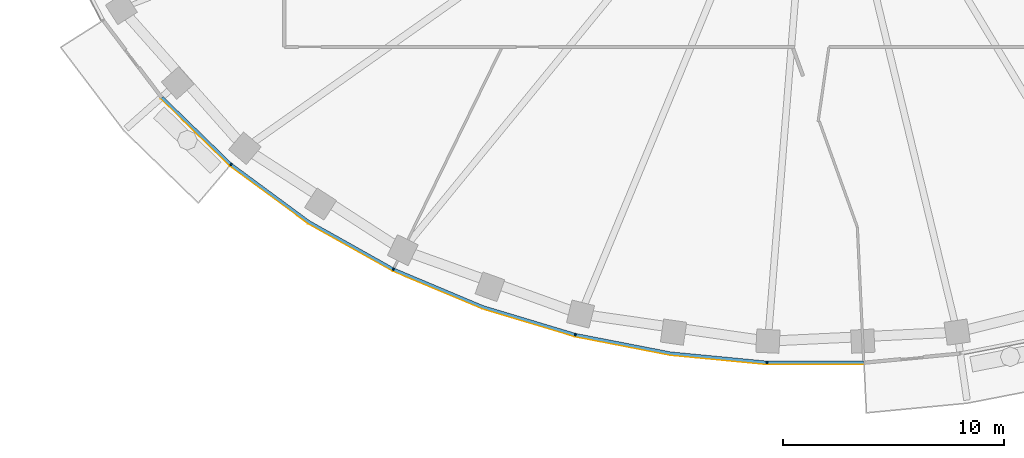
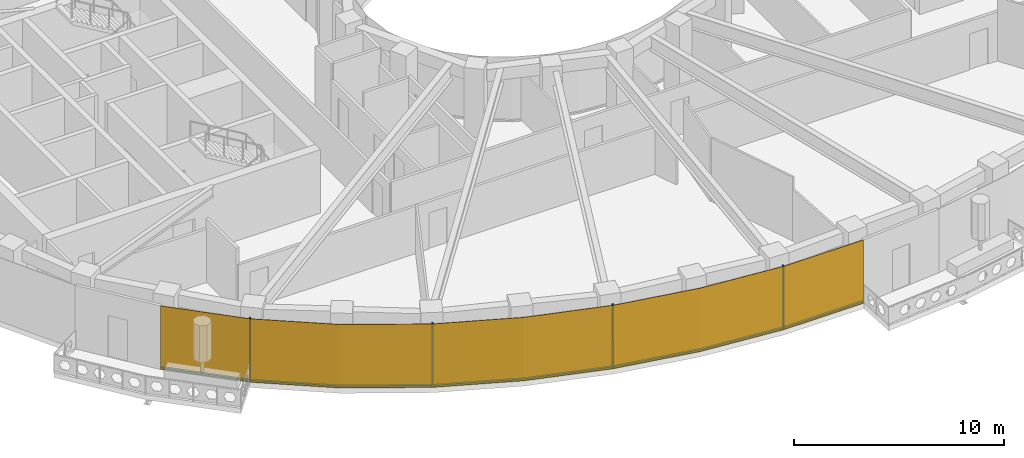
# One storey, part 8 of 16: 9 members, 1 curtain wall.
"""IFC4 building model written with IfcOpenShell, lengths in metres."""

from ifc_helpers import new_model, si_unit, direction, frame, origin, origin_2d, place, context, subcontext, project, spatial, polyline, rectangle, outline, extrude, material, layer, layer_set, material_profile, profile_set, type_object, element, aggregate, save


model = new_model("IFC4")

# Units and contexts
model_context = context("Model", 3, precision=1e-05, world=origin(), true_north=direction((0.0, 1.0)))
body_context = subcontext(model_context, "Body", "Model", "MODEL_VIEW")
ifc_project = project(units=[si_unit("LENGTHUNIT", "METRE"), si_unit("AREAUNIT", "SQUARE_METRE"), si_unit("VOLUMEUNIT", "CUBIC_METRE"), si_unit("PLANEANGLEUNIT", "RADIAN"), si_unit("MASSUNIT", "GRAM", prefix="KILO")], contexts=[model_context])

# Member
ifc_material_1 = material(Name="Aluminium 6063-T6 black anodised", Category="aluminium")
ifc_material_profile = material_profile(ifc_material_1, rectangle(XDim=0.1201171875, YDim=0.06005859375, at=origin_2d()), Name="120x60")
ifc_profile_set = profile_set([ifc_material_profile], Name="Aluminium 6063-T6 black anodised")
member_type_1 = type_object("IfcMemberType", Name="ENV-MULLION-A-120", PredefinedType="MULLION", material=ifc_profile_set)
site_placement = place(None, origin())
building_placement = place(site_placement, origin())
storey_placement = place(building_placement, frame((0.0, 0.0, 281.5)))
member_1_placement = place(storey_placement, frame((-26.403564453125, -18.9130859375, 0.0), z_axis=(0.0, 0.0, 1.0), x_axis=(0.646451313783, 0.762955240435, 0.0)))
member_1 = element("IfcMember", 1, at=member_1_placement, type_object=member_type_1, Name="Mullion A radial 29", PredefinedType="MULLION", context=body_context, shape_type="SweptSolid", body=[
    extrude(rectangle(XDim=0.1201171875, YDim=0.06005859375, at=origin_2d()), origin(), (0.0, 0.0, 1.0), 3.699951171875),
])

member_2_placement = place(storey_placement, frame((-19.06787109375, -23.6474609375, 0.0), z_axis=(0.0, 0.0, 1.0), x_axis=(0.439237769837, 0.898370848563, 0.0)))
member_2 = element("IfcMember", 2, at=member_2_placement, type_object=member_type_1, Name="Mullion A radial 31", PredefinedType="MULLION", context=body_context, shape_type="SweptSolid", body=[
    extrude(rectangle(XDim=0.1201171875, YDim=0.06005859375, at=origin_2d()), origin(), (0.0, 0.0, 1.0), 3.699951171875),
])

member_3_placement = place(storey_placement, frame((-10.84326171875, -26.60498046875, 0.0), z_axis=(0.0, 0.0, 1.0), x_axis=(0.239799081534, 0.970822538106, 0.0)))
member_3 = element("IfcMember", 3, at=member_3_placement, type_object=member_type_1, Name="Mullion A radial 33", PredefinedType="MULLION", context=body_context, shape_type="SweptSolid", body=[
    extrude(rectangle(XDim=0.1201171875, YDim=0.06005859375, at=origin_2d()), origin(), (0.0, 0.0, 1.0), 3.699951171875),
])

member_4_placement = place(storey_placement, frame((-2.188720703125, -27.856201171875, 0.0), z_axis=(0.0, 0.0, 1.0), x_axis=(0.047557873581, 0.998868484166, 0.0)))
member_4 = element("IfcMember", 4, at=member_4_placement, type_object=member_type_1, Name="Mullion A radial 35", PredefinedType="MULLION", context=body_context, shape_type="SweptSolid", body=[
    extrude(rectangle(XDim=0.1201171875, YDim=0.06005859375, at=origin_2d()), origin(), (0.0, 0.0, 1.0), 3.699951171875),
])

ifc_material_2 = material(Name="Aluminium 6063-T6 black anodised", Category="aluminium")
member_type_2 = type_object("IfcMemberType", Name="ENV-TRANSOM-A", PredefinedType="USERDEFINED", material=ifc_material_2)
member_5_placement = place(storey_placement, origin())
member_5 = element("IfcMember", 5, at=member_5_placement, type_object=member_type_2, Name="Transom A radial 28-29", ObjectType="TRANSOM", PredefinedType="USERDEFINED", context=body_context, shape_type="SweptSolid", body=[
    extrude(outline(polyline([(-29.569091796875, -15.9208984375), (-26.46240234375, -18.939208984375), (-26.384765625, -18.847412109375), (-29.47900390625, -15.841064453125), (-29.569091796875, -15.9208984375)])), origin(), (0.0, 0.0, 1.0), 0.10009765625),
])

member_6_placement = place(storey_placement, origin())
member_6 = element("IfcMember", 6, at=member_6_placement, type_object=member_type_2, Name="Transom A radial 29-31", ObjectType="TRANSOM", PredefinedType="USERDEFINED", context=body_context, shape_type="SweptSolid", body=[
    extrude(outline(polyline([(-26.419921875, -18.975341796875), (-22.9150390625, -21.556884765625), (-19.11865234375, -23.687744140625), (-19.06591796875, -23.57958984375), (-22.85009765625, -21.455810546875), (-26.342041015625, -18.883544921875), (-26.419921875, -18.975341796875)])), origin(), (0.0, 0.0, 1.0), 0.10009765625),
])

member_7_placement = place(storey_placement, origin())
member_7 = element("IfcMember", 7, at=member_7_placement, type_object=member_type_2, Name="Transom A radial 31-33", ObjectType="TRANSOM", PredefinedType="USERDEFINED", context=body_context, shape_type="SweptSolid", body=[
    extrude(outline(polyline([(-19.068359375, -23.71240234375), (-15.054443359375, -25.400146484375), (-10.884521484375, -26.655029296875), (-10.855712890625, -26.53857421875), (-15.013916015625, -25.287109375), (-19.015380859375, -23.604248046875), (-19.068359375, -23.71240234375)])), origin(), (0.0, 0.0, 1.0), 0.10009765625),
])

member_8_placement = place(storey_placement, origin())
member_8 = element("IfcMember", 8, at=member_8_placement, type_object=member_type_2, Name="Transom A radial 33-35", ObjectType="TRANSOM", PredefinedType="USERDEFINED", context=body_context, shape_type="SweptSolid", body=[
    extrude(outline(polyline([(-10.830078125, -26.66845703125), (-6.55517578125, -27.49951171875), (-2.219482421875, -27.913330078125), (-2.2138671875, -27.793212890625), (-6.537841796875, -27.380615234375), (-10.80126953125, -26.552001953125), (-10.830078125, -26.66845703125)])), origin(), (0.0, 0.0, 1.0), 0.10009765625),
])

member_9_placement = place(storey_placement, origin())
member_9 = element("IfcMember", 9, at=member_9_placement, type_object=member_type_2, Name="Transom A radial 35-36", ObjectType="TRANSOM", PredefinedType="USERDEFINED", context=body_context, shape_type="SweptSolid", body=[
    extrude(outline(polyline([(-2.163818359375, -27.916015625), (2.171630859375, -27.916015625), (2.166015625, -27.7958984375), (-2.157958984375, -27.7958984375), (-2.163818359375, -27.916015625)])), origin(), (0.0, 0.0, 1.0), 0.10009765625),
])

# Site, building, storey
site = spatial("IfcSite", under=ifc_project, at=site_placement, CompositionType="ELEMENT")
building = spatial("IfcBuilding", under=site, at=building_placement, Name="Noorbagh Ring Tower", CompositionType="ELEMENT")
storey = spatial("IfcBuildingStorey", under=building, at=storey_placement, Name="L60", CompositionType="ELEMENT", Elevation=281.5)

# Curtain wall
ifc_material_3 = material(Name="Glass dark tinted laminated", Category="glass")
ifc_layer = layer(ifc_material_3, 0.031982421875)
ifc_layer_set = layer_set([ifc_layer], Name="Glass dark tinted laminated")
curtain_wall_type = type_object("IfcCurtainWallType", Name="ENV-CW-A", PredefinedType="NOTDEFINED", material=ifc_layer_set)
curtain_wall_placement = place(storey_placement, origin())
curtain_wall = element("IfcCurtainWall", 10, at=curtain_wall_placement, inside=storey, type_object=curtain_wall_type, Name="Curtain wall A R28", PredefinedType="NOTDEFINED", context=body_context, shape_type="SweptSolid", body=[
    extrude(outline(polyline([(-29.59326171875, -15.942138671875), (-26.463134765625, -18.9833984375), (-22.9326171875, -21.583740234375), (-19.108154296875, -23.730224609375), (-15.065185546875, -25.430419921875), (-10.865234375, -26.6943359375), (-6.559814453125, -27.53125), (-2.193115234375, -27.947998046875), (2.173095703125, -27.947998046875), (2.171630859375, -27.916015625), (-2.191650390625, -27.916015625), (-6.55517578125, -27.49951171875), (-10.857666015625, -26.6630859375), (-15.054443359375, -25.400146484375), (-19.093994140625, -23.701416015625), (-22.9150390625, -21.556884765625), (-26.4423828125, -18.958740234375), (-29.569091796875, -15.9208984375), (-29.59326171875, -15.942138671875)])), origin(), (0.0, 0.0, 1.0), 3.699951171875),
])

aggregate(curtain_wall, [member_1, member_2, member_3, member_4, member_5, member_6, member_7, member_8, member_9])

save(model, "model.ifc")
